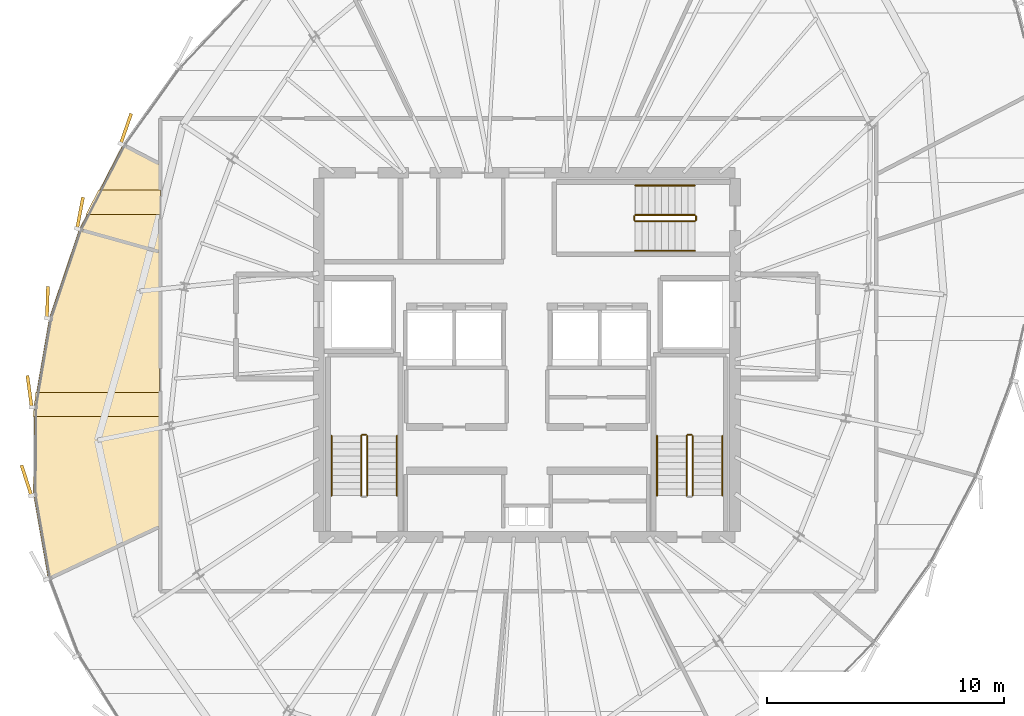
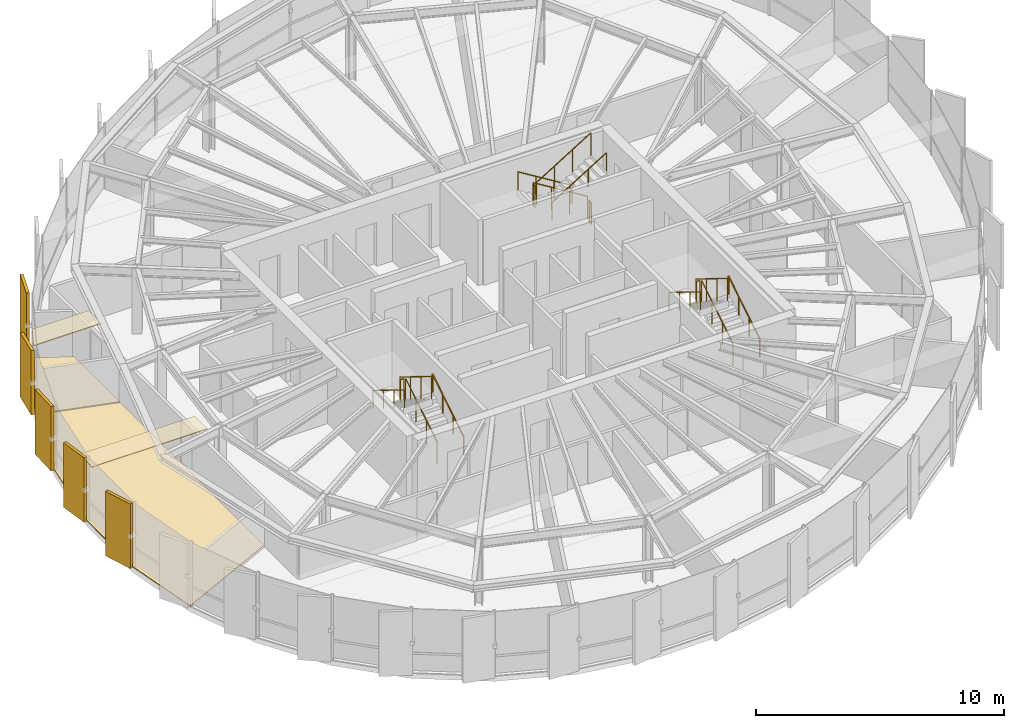
# One storey, part 32 of 33: 16 railings, 9 coverings.
"""IFC4 building model written with IfcOpenShell, lengths in metres."""

from ifc_helpers import new_model, si_unit, direction, frame, origin, origin_2d, place, context, subcontext, project, spatial, polyline, rectangle, circle, outline, extrude, source, transform, mapped, material, layer, layer_set, type_object, element, save


model = new_model("IFC4")

# Units and contexts
model_context = context("Model", 3, precision=1e-05, world=origin(), true_north=direction((0.0, 1.0)))
body_context = subcontext(model_context, "Body", "Model", "MODEL_VIEW")
ifc_project = project(units=[si_unit("LENGTHUNIT", "METRE"), si_unit("AREAUNIT", "SQUARE_METRE"), si_unit("VOLUMEUNIT", "CUBIC_METRE"), si_unit("PLANEANGLEUNIT", "RADIAN"), si_unit("MASSUNIT", "GRAM", prefix="KILO"), si_unit("THERMODYNAMICTEMPERATUREUNIT", "KELVIN")], contexts=[model_context])

# Site, building, storey
site_placement = place(None, origin())
site = spatial("IfcSite", under=ifc_project, at=site_placement, CompositionType="ELEMENT")
building_placement = place(site_placement, origin())
building = spatial("IfcBuilding", under=site, at=building_placement, Name="Kethvar Cultural Tower", CompositionType="ELEMENT")
storey_placement = place(building_placement, frame((0.0, 0.0, 238.75)))
storey = spatial("IfcBuildingStorey", under=building, at=storey_placement, Name="L62", CompositionType="ELEMENT", Elevation=238.75)

# Coverings
ifc_material_1 = material(Name="Acoustic Mineral Fibre Ceiling")
ifc_layer_1 = layer(ifc_material_1, 0.0400390625, Name="Acoustic Mineral Fibre Ceiling")
ifc_layer_set_1 = layer_set([ifc_layer_1], Name="Acoustic Mineral Fibre Ceiling (40 mm)")
covering_type_1 = type_object("IfcCoveringType", Name="CV-ACOUSTIC-CEIL", PredefinedType="CEILING", material=ifc_layer_set_1)
covering_1_placement = place(storey_placement, frame((0.0, 0.0, 2.889892578125)))
element("IfcCovering", 1, at=covering_1_placement, inside=storey, type_object=covering_type_1, Name="L62 Room 11 Acoustic Ceiling Panel", PredefinedType="CEILING", context=body_context, shape_type="SweptSolid", body=[
    extrude(outline(polyline([(28.685546875, 34.76806640625), (31.31005859375, 34.76806640625), (31.31005859375, 33.738037109375), (28.156005859375, 33.738037109375), (28.685546875, 34.76806640625)])), origin(), (0.0, 0.0, 1.0), 0.0400390625),
])
covering_2_placement = place(storey_placement, frame((0.0, 0.0, 2.889892578125)))
element("IfcCovering", 2, at=covering_2_placement, inside=storey, type_object=covering_type_1, Name="L62 Room 12 Acoustic Ceiling Panel", PredefinedType="CEILING", context=body_context, shape_type="SweptSolid", body=[
    extrude(outline(polyline([(25.9189453125, 25.18408203125), (26.02880859375, 26.214111328125), (31.31005859375, 26.214111328125), (31.31005859375, 25.18408203125), (25.9189453125, 25.18408203125)])), origin(), (0.0, 0.0, 1.0), 0.0400390625),
])
ifc_material_2 = material(Name="Honed Warm Limestone", Category="masonry")
ifc_layer_2 = layer(ifc_material_2, 0.030029296875, Name="Honed Warm Limestone", Category="masonry")
ifc_layer_set_2 = layer_set([ifc_layer_2], Name="Honed Warm Limestone (30 mm)")
covering_type_2 = type_object("IfcCoveringType", Name="CV-STONE-FLOOR", PredefinedType="FLOORING", material=ifc_layer_set_2)
covering_3_placement = place(storey_placement, origin())
element("IfcCovering", 3, at=covering_3_placement, inside=storey, type_object=covering_type_2, Name="L62 Room 11 Floor Finish", PredefinedType="FLOORING", context=body_context, shape_type="SweptSolid", body=[
    extrude(outline(polyline([(27.884765625, 33.123046875), (29.704345703125, 36.662109375), (31.27001953125, 35.848388671875), (31.27001953125, 32.17431640625), (27.884765625, 33.123046875)])), origin(), (0.0, 0.0, 1.0), 0.030029296875),
])
covering_4_placement = place(storey_placement, origin())
element("IfcCovering", 4, at=covering_4_placement, inside=storey, type_object=covering_type_2, Name="L62 Room 12 Floor Finish", PredefinedType="FLOORING", context=body_context, shape_type="SweptSolid", body=[
    extrude(outline(polyline([(25.944091796875, 21.864013671875), (25.960693359375, 25.5810546875), (26.610595703125, 29.365478515625), (27.86865234375, 33.086181640625), (31.27001953125, 32.132568359375), (31.27001953125, 20.556396484375), (26.55712890625, 18.351806640625), (25.944091796875, 21.864013671875)])), origin(), (0.0, 0.0, 1.0), 0.030029296875),
])

# Railings
ifc_material_3 = material(Name="Steel S355J2", Category="steel")
railing_type_1 = type_object("IfcRailingType", Name="RL-STAIR-GUARD", PredefinedType="BALUSTRADE", material=ifc_material_3)
railing_1_placement = place(storey_placement, frame((40.050048828125, 21.85009765625, 0.172607421875)))
element("IfcRailing", 5, at=railing_1_placement, inside=storey, type_object=railing_type_1, Name="L62 ST-01 stair guard 1", PredefinedType="BALUSTRADE", context=body_context, shape_type="SweptSolid", body=[
    extrude(circle(Radius=0.02392578125, at=origin_2d()), frame((0.0, 0.0, 1.09619140625), z_axis=(0.0, 0.851400495292, 0.524516154772), x_axis=(-1.0, 0.0, 0.0)), (0.0, 0.0, 1.0), 2.9599609375),
    extrude(circle(Radius=0.02099609375, at=origin_2d()), origin(), (0.0, 0.0, 1.0), 1.072021484375),
    extrude(circle(Radius=0.02099609375, at=origin_2d()), frame((0.0, 0.840087890625, 0.517578125)), (0.0, 0.0, 1.0), 1.072021484375),
    extrude(circle(Radius=0.02099609375, at=origin_2d()), frame((0.0, 1.679931640625, 1.034912109375)), (0.0, 0.0, 1.0), 1.072021484375),
    extrude(circle(Radius=0.02099609375, at=origin_2d()), frame((0.0, 2.52001953125, 1.552490234375)), (0.0, 0.0, 1.0), 1.072021484375),
])
railing_2_placement = place(storey_placement, frame((40.0, 24.419921875, 1.72509765625)))
element("IfcRailing", 6, at=railing_2_placement, inside=storey, type_object=railing_type_1, Name="L62 ST-01 stair guard 2", PredefinedType="BALUSTRADE", context=body_context, shape_type="SweptSolid", body=[
    extrude(circle(Radius=0.02392578125, at=origin_2d()), frame((0.0, 0.0, 1.09619140625), z_axis=(-1.0, 0.0, 0.0), x_axis=(0.0, -1.0, 0.0)), (0.0, 0.0, 1.0), 0.159912109375),
    extrude(circle(Radius=0.02099609375, at=origin_2d()), origin(), (0.0, 0.0, 1.0), 1.072021484375),
    extrude(circle(Radius=0.02099609375, at=origin_2d()), frame((-0.159912109375, 0.0, 0.0)), (0.0, 0.0, 1.0), 1.072021484375),
])
railing_3_placement = place(storey_placement, frame((39.7900390625, 24.3701171875, 1.8974609375)))
element("IfcRailing", 7, at=railing_3_placement, inside=storey, type_object=railing_type_1, Name="L62 ST-01 stair guard 3", PredefinedType="BALUSTRADE", context=body_context, shape_type="SweptSolid", body=[
    extrude(circle(Radius=0.02392578125, at=origin_2d()), frame((0.0, 0.0, 1.09619140625), z_axis=(0.0, -0.851400495292, 0.524516154772), x_axis=(1.0, 0.0, 0.0)), (0.0, 0.0, 1.0), 2.9599609375),
    extrude(circle(Radius=0.02099609375, at=origin_2d()), origin(), (0.0, 0.0, 1.0), 1.072021484375),
    extrude(circle(Radius=0.02099609375, at=origin_2d()), frame((0.0, -0.840087890625, 0.517578125)), (0.0, 0.0, 1.0), 1.072021484375),
    extrude(circle(Radius=0.02099609375, at=origin_2d()), frame((0.0, -1.679931640625, 1.034912109375)), (0.0, 0.0, 1.0), 1.072021484375),
    extrude(circle(Radius=0.02099609375, at=origin_2d()), frame((0.0, -2.52001953125, 1.552490234375)), (0.0, 0.0, 1.0), 1.072021484375),
])
railing_4_placement = place(storey_placement, frame((53.81005859375, 21.85009765625, 0.172607421875)))
element("IfcRailing", 8, at=railing_4_placement, inside=storey, type_object=railing_type_1, Name="L62 ST-02 stair guard 1", PredefinedType="BALUSTRADE", context=body_context, shape_type="SweptSolid", body=[
    extrude(circle(Radius=0.02392578125, at=origin_2d()), frame((0.0, 0.0, 1.09619140625), z_axis=(0.0, 0.851400495292, 0.524516154772), x_axis=(-1.0, 0.0, 0.0)), (0.0, 0.0, 1.0), 2.9599609375),
    extrude(circle(Radius=0.02099609375, at=origin_2d()), origin(), (0.0, 0.0, 1.0), 1.072021484375),
    extrude(circle(Radius=0.02099609375, at=origin_2d()), frame((0.0, 0.840087890625, 0.517578125)), (0.0, 0.0, 1.0), 1.072021484375),
    extrude(circle(Radius=0.02099609375, at=origin_2d()), frame((0.0, 1.679931640625, 1.034912109375)), (0.0, 0.0, 1.0), 1.072021484375),
    extrude(circle(Radius=0.02099609375, at=origin_2d()), frame((0.0, 2.52001953125, 1.552490234375)), (0.0, 0.0, 1.0), 1.072021484375),
])
railing_5_placement = place(storey_placement, frame((53.760009765625, 24.419921875, 1.72509765625)))
element("IfcRailing", 9, at=railing_5_placement, inside=storey, type_object=railing_type_1, Name="L62 ST-02 stair guard 2", PredefinedType="BALUSTRADE", context=body_context, shape_type="SweptSolid", body=[
    extrude(circle(Radius=0.02392578125, at=origin_2d()), frame((0.0, 0.0, 1.09619140625), z_axis=(-1.0, 0.0, 0.0), x_axis=(0.0, -1.0, 0.0)), (0.0, 0.0, 1.0), 0.159912109375),
    extrude(circle(Radius=0.02099609375, at=origin_2d()), origin(), (0.0, 0.0, 1.0), 1.072021484375),
    extrude(circle(Radius=0.02099609375, at=origin_2d()), frame((-0.159912109375, 0.0, 0.0)), (0.0, 0.0, 1.0), 1.072021484375),
])
railing_6_placement = place(storey_placement, frame((53.550048828125, 24.3701171875, 1.8974609375)))
element("IfcRailing", 10, at=railing_6_placement, inside=storey, type_object=railing_type_1, Name="L62 ST-02 stair guard 3", PredefinedType="BALUSTRADE", context=body_context, shape_type="SweptSolid", body=[
    extrude(circle(Radius=0.02392578125, at=origin_2d()), frame((0.0, 0.0, 1.09619140625), z_axis=(0.0, -0.851400495292, 0.524516154772), x_axis=(1.0, 0.0, 0.0)), (0.0, 0.0, 1.0), 2.9599609375),
    extrude(circle(Radius=0.02099609375, at=origin_2d()), origin(), (0.0, 0.0, 1.0), 1.072021484375),
    extrude(circle(Radius=0.02099609375, at=origin_2d()), frame((0.0, -0.840087890625, 0.517578125)), (0.0, 0.0, 1.0), 1.072021484375),
    extrude(circle(Radius=0.02099609375, at=origin_2d()), frame((0.0, -1.679931640625, 1.034912109375)), (0.0, 0.0, 1.0), 1.072021484375),
    extrude(circle(Radius=0.02099609375, at=origin_2d()), frame((0.0, -2.52001953125, 1.552490234375)), (0.0, 0.0, 1.0), 1.072021484375),
])
railing_7_placement = place(storey_placement, frame((53.89990234375, 33.7099609375, 0.172607421875)))
element("IfcRailing", 11, at=railing_7_placement, inside=storey, type_object=railing_type_1, Name="L62 ST-03 stair guard 1", PredefinedType="BALUSTRADE", context=body_context, shape_type="SweptSolid", body=[
    extrude(circle(Radius=0.02392578125, at=origin_2d()), frame((0.0, 0.0, 1.09619140625), z_axis=(-0.851400495292, 0.0, 0.524516154772), x_axis=(0.0, -1.0, 0.0)), (0.0, 0.0, 1.0), 2.9599609375),
    extrude(circle(Radius=0.02099609375, at=origin_2d()), origin(), (0.0, 0.0, 1.0), 1.072021484375),
    extrude(circle(Radius=0.02099609375, at=origin_2d()), frame((-0.840087890625, 0.0, 0.517578125)), (0.0, 0.0, 1.0), 1.072021484375),
    extrude(circle(Radius=0.02099609375, at=origin_2d()), frame((-1.679931640625, 0.0, 1.034912109375)), (0.0, 0.0, 1.0), 1.072021484375),
    extrude(circle(Radius=0.02099609375, at=origin_2d()), frame((-2.52001953125, 0.0, 1.552490234375)), (0.0, 0.0, 1.0), 1.072021484375),
])
railing_8_placement = place(storey_placement, frame((51.330078125, 33.659912109375, 1.72509765625)))
element("IfcRailing", 12, at=railing_8_placement, inside=storey, type_object=railing_type_1, Name="L62 ST-03 stair guard 2", PredefinedType="BALUSTRADE", context=body_context, shape_type="SweptSolid", body=[
    extrude(circle(Radius=0.02392578125, at=origin_2d()), frame((0.0, 0.0, 1.09619140625), z_axis=(0.0, -1.0, 0.0), x_axis=(1.0, 0.0, 0.0)), (0.0, 0.0, 1.0), 0.159912109375),
    extrude(circle(Radius=0.02099609375, at=origin_2d()), origin(), (0.0, 0.0, 1.0), 1.072021484375),
    extrude(circle(Radius=0.02099609375, at=origin_2d()), frame((0.0, -0.159912109375, 0.0)), (0.0, 0.0, 1.0), 1.072021484375),
])
railing_9_placement = place(storey_placement, frame((51.3798828125, 33.449951171875, 1.8974609375)))
element("IfcRailing", 13, at=railing_9_placement, inside=storey, type_object=railing_type_1, Name="L62 ST-03 stair guard 3", PredefinedType="BALUSTRADE", context=body_context, shape_type="SweptSolid", body=[
    extrude(circle(Radius=0.02392578125, at=origin_2d()), frame((0.0, 0.0, 1.09619140625), z_axis=(0.851400495292, 0.0, 0.524516154772), x_axis=(0.0, 1.0, 0.0)), (0.0, 0.0, 1.0), 2.9599609375),
    extrude(circle(Radius=0.02099609375, at=origin_2d()), origin(), (0.0, 0.0, 1.0), 1.072021484375),
    extrude(circle(Radius=0.02099609375, at=origin_2d()), frame((0.840087890625, 0.0, 0.517578125)), (0.0, 0.0, 1.0), 1.072021484375),
    extrude(circle(Radius=0.02099609375, at=origin_2d()), frame((1.679931640625, 0.0, 1.034912109375)), (0.0, 0.0, 1.0), 1.072021484375),
    extrude(circle(Radius=0.02099609375, at=origin_2d()), frame((2.52001953125, 0.0, 1.552490234375)), (0.0, 0.0, 1.0), 1.072021484375),
])
railing_10_placement = place(storey_placement, frame((53.949951171875, 33.659912109375, 0.0)))
element("IfcRailing", 14, at=railing_10_placement, inside=storey, type_object=railing_type_1, Name="L62 ST-03 stair guard 4", PredefinedType="BALUSTRADE", context=body_context, shape_type="SweptSolid", body=[
    extrude(circle(Radius=0.02392578125, at=origin_2d()), frame((0.0, 0.0, 1.09619140625), z_axis=(0.0, -1.0, 0.0), x_axis=(1.0, 0.0, 0.0)), (0.0, 0.0, 1.0), 0.159912109375),
    extrude(circle(Radius=0.02099609375, at=origin_2d()), origin(), (0.0, 0.0, 1.0), 1.072021484375),
    extrude(circle(Radius=0.02099609375, at=origin_2d()), frame((0.0, -0.159912109375, 0.0)), (0.0, 0.0, 1.0), 1.072021484375),
])
railing_type_2 = type_object("IfcRailingType", Name="RL-STAIR-HANDRAIL", PredefinedType="HANDRAIL", material=ifc_material_3)
railing_11_placement = place(storey_placement, frame((41.300048828125, 21.85009765625, 0.172607421875)))
element("IfcRailing", 15, at=railing_11_placement, inside=storey, type_object=railing_type_2, Name="L62 ST-01 stair handrail 1", PredefinedType="HANDRAIL", context=body_context, shape_type="SweptSolid", body=[
    extrude(circle(Radius=0.02392578125, at=origin_2d()), frame((0.0, 0.0, 0.8759765625), z_axis=(0.0, 0.851400495292, 0.524516154772), x_axis=(-1.0, 0.0, 0.0)), (0.0, 0.0, 1.0), 2.9599609375),
    extrude(circle(Radius=0.02099609375, at=origin_2d()), origin(), (0.0, 0.0, 1.0), 0.851806640625),
    extrude(circle(Radius=0.02099609375, at=origin_2d()), frame((0.0, 0.840087890625, 0.517578125)), (0.0, 0.0, 1.0), 0.851806640625),
    extrude(circle(Radius=0.02099609375, at=origin_2d()), frame((0.0, 1.679931640625, 1.034912109375)), (0.0, 0.0, 1.0), 0.851806640625),
    extrude(circle(Radius=0.02099609375, at=origin_2d()), frame((0.0, 2.52001953125, 1.552490234375)), (0.0, 0.0, 1.0), 0.851806640625),
])
railing_12_placement = place(storey_placement, frame((38.5400390625, 24.3701171875, 1.8974609375)))
element("IfcRailing", 16, at=railing_12_placement, inside=storey, type_object=railing_type_2, Name="L62 ST-01 stair handrail 2", PredefinedType="HANDRAIL", context=body_context, shape_type="SweptSolid", body=[
    extrude(circle(Radius=0.02392578125, at=origin_2d()), frame((0.0, 0.0, 0.8759765625), z_axis=(0.0, -0.851400495292, 0.524516154772), x_axis=(1.0, 0.0, 0.0)), (0.0, 0.0, 1.0), 2.9599609375),
    extrude(circle(Radius=0.02099609375, at=origin_2d()), origin(), (0.0, 0.0, 1.0), 0.851806640625),
    extrude(circle(Radius=0.02099609375, at=origin_2d()), frame((0.0, -0.840087890625, 0.517578125)), (0.0, 0.0, 1.0), 0.851806640625),
    extrude(circle(Radius=0.02099609375, at=origin_2d()), frame((0.0, -1.679931640625, 1.034912109375)), (0.0, 0.0, 1.0), 0.851806640625),
    extrude(circle(Radius=0.02099609375, at=origin_2d()), frame((0.0, -2.52001953125, 1.552490234375)), (0.0, 0.0, 1.0), 0.851806640625),
])
railing_13_placement = place(storey_placement, frame((55.06005859375, 21.85009765625, 0.172607421875)))
element("IfcRailing", 17, at=railing_13_placement, inside=storey, type_object=railing_type_2, Name="L62 ST-02 stair handrail 1", PredefinedType="HANDRAIL", context=body_context, shape_type="SweptSolid", body=[
    extrude(circle(Radius=0.02392578125, at=origin_2d()), frame((0.0, 0.0, 0.8759765625), z_axis=(0.0, 0.851400495292, 0.524516154772), x_axis=(-1.0, 0.0, 0.0)), (0.0, 0.0, 1.0), 2.9599609375),
    extrude(circle(Radius=0.02099609375, at=origin_2d()), origin(), (0.0, 0.0, 1.0), 0.851806640625),
    extrude(circle(Radius=0.02099609375, at=origin_2d()), frame((0.0, 0.840087890625, 0.517578125)), (0.0, 0.0, 1.0), 0.851806640625),
    extrude(circle(Radius=0.02099609375, at=origin_2d()), frame((0.0, 1.679931640625, 1.034912109375)), (0.0, 0.0, 1.0), 0.851806640625),
    extrude(circle(Radius=0.02099609375, at=origin_2d()), frame((0.0, 2.52001953125, 1.552490234375)), (0.0, 0.0, 1.0), 0.851806640625),
])
railing_14_placement = place(storey_placement, frame((52.300048828125, 24.3701171875, 1.8974609375)))
element("IfcRailing", 18, at=railing_14_placement, inside=storey, type_object=railing_type_2, Name="L62 ST-02 stair handrail 2", PredefinedType="HANDRAIL", context=body_context, shape_type="SweptSolid", body=[
    extrude(circle(Radius=0.02392578125, at=origin_2d()), frame((0.0, 0.0, 0.8759765625), z_axis=(0.0, -0.851400495292, 0.524516154772), x_axis=(1.0, 0.0, 0.0)), (0.0, 0.0, 1.0), 2.9599609375),
    extrude(circle(Radius=0.02099609375, at=origin_2d()), origin(), (0.0, 0.0, 1.0), 0.851806640625),
    extrude(circle(Radius=0.02099609375, at=origin_2d()), frame((0.0, -0.840087890625, 0.517578125)), (0.0, 0.0, 1.0), 0.851806640625),
    extrude(circle(Radius=0.02099609375, at=origin_2d()), frame((0.0, -1.679931640625, 1.034912109375)), (0.0, 0.0, 1.0), 0.851806640625),
    extrude(circle(Radius=0.02099609375, at=origin_2d()), frame((0.0, -2.52001953125, 1.552490234375)), (0.0, 0.0, 1.0), 0.851806640625),
])
railing_15_placement = place(storey_placement, frame((53.89990234375, 34.9599609375, 0.172607421875)))
element("IfcRailing", 19, at=railing_15_placement, inside=storey, type_object=railing_type_2, Name="L62 ST-03 stair handrail 1", PredefinedType="HANDRAIL", context=body_context, shape_type="SweptSolid", body=[
    extrude(circle(Radius=0.02392578125, at=origin_2d()), frame((0.0, 0.0, 0.8759765625), z_axis=(-0.851400495292, 0.0, 0.524516154772), x_axis=(0.0, -1.0, 0.0)), (0.0, 0.0, 1.0), 2.9599609375),
    extrude(circle(Radius=0.02099609375, at=origin_2d()), origin(), (0.0, 0.0, 1.0), 0.851806640625),
    extrude(circle(Radius=0.02099609375, at=origin_2d()), frame((-0.840087890625, 0.0, 0.517578125)), (0.0, 0.0, 1.0), 0.851806640625),
    extrude(circle(Radius=0.02099609375, at=origin_2d()), frame((-1.679931640625, 0.0, 1.034912109375)), (0.0, 0.0, 1.0), 0.851806640625),
    extrude(circle(Radius=0.02099609375, at=origin_2d()), frame((-2.52001953125, 0.0, 1.552490234375)), (0.0, 0.0, 1.0), 0.851806640625),
])
railing_16_placement = place(storey_placement, frame((51.3798828125, 32.199951171875, 1.8974609375)))
element("IfcRailing", 20, at=railing_16_placement, inside=storey, type_object=railing_type_2, Name="L62 ST-03 stair handrail 2", PredefinedType="HANDRAIL", context=body_context, shape_type="SweptSolid", body=[
    extrude(circle(Radius=0.02392578125, at=origin_2d()), frame((0.0, 0.0, 0.8759765625), z_axis=(0.851400495292, 0.0, 0.524516154772), x_axis=(0.0, 1.0, 0.0)), (0.0, 0.0, 1.0), 2.9599609375),
    extrude(circle(Radius=0.02099609375, at=origin_2d()), origin(), (0.0, 0.0, 1.0), 0.851806640625),
    extrude(circle(Radius=0.02099609375, at=origin_2d()), frame((0.840087890625, 0.0, 0.517578125)), (0.0, 0.0, 1.0), 0.851806640625),
    extrude(circle(Radius=0.02099609375, at=origin_2d()), frame((1.679931640625, 0.0, 1.034912109375)), (0.0, 0.0, 1.0), 0.851806640625),
    extrude(circle(Radius=0.02099609375, at=origin_2d()), frame((2.52001953125, 0.0, 1.552490234375)), (0.0, 0.0, 1.0), 0.851806640625),
])

# Coverings
ifc_material_4 = material(Name="Extruded Architectural Terracotta", Category="masonry")
ifc_layer_3 = layer(ifc_material_4, 0.135009765625, Name="Extruded Architectural Terracotta", Category="masonry")
ifc_layer_set_3 = layer_set([ifc_layer_3], Name="Extruded Architectural Terracotta (135 mm)")
covering_type_3 = type_object("IfcCoveringType", Name="Terracotta Facade Fin FIN-03", PredefinedType="CLADDING", material=ifc_layer_set_3)
shared_shape = source(origin(), body_context, "Body", "SweptSolid", [
    extrude(rectangle(XDim=1.35009765625, YDim=0.135009765625, at=origin_2d()), origin(), (0.0, 0.0, 1.0), 3.169921875),
])
for number, where, z_axis, x_axis, name in (
    (21, (29.8466796875, 37.363037109375, 0.02001953125), (0.0, 0.0, 1.0), (0.329031466499, 0.944318957796, 0.0), "L62 Vertical Terracotta Fin 2.5"),
    (22, (27.905029296875, 33.799560546875, 0.02001953125), (0.0, 0.0, 1.0), (0.18532360751, 0.982677546553, 0.0), "L62 Vertical Terracotta Fin 2.6"),
    (23, (26.52685546875, 30.0234375, 0.02001953125), (0.0, 0.0, 1.0), (0.030364061224, 0.999538905589, 0.0), "L62 Vertical Terracotta Fin 3.1"),
    (24, (25.77001953125, 26.252197265625, 0.02001953125), (0.0, 0.0, 1.0), (-0.134677989497, 0.990889418222, 0.0), "L62 Vertical Terracotta Fin 3.2"),
    (25, (25.637939453125, 22.490966796875, 0.02001953125), (0.0, 0.0, 1.0), (-0.3073566178, 0.951594403879, 0.0), "L62 Vertical Terracotta Fin 3.3"),
):
    element("IfcCovering", number, at=place(storey_placement, frame(where, z_axis=z_axis, x_axis=x_axis)), inside=storey, type_object=covering_type_3, Name=name, PredefinedType="CLADDING", context=body_context, shape_type="MappedRepresentation", body=[
        mapped(shared_shape, transform((0.0, 0.0, 0.0), scale=1.0)),
    ])

save(model, "model.ifc")
